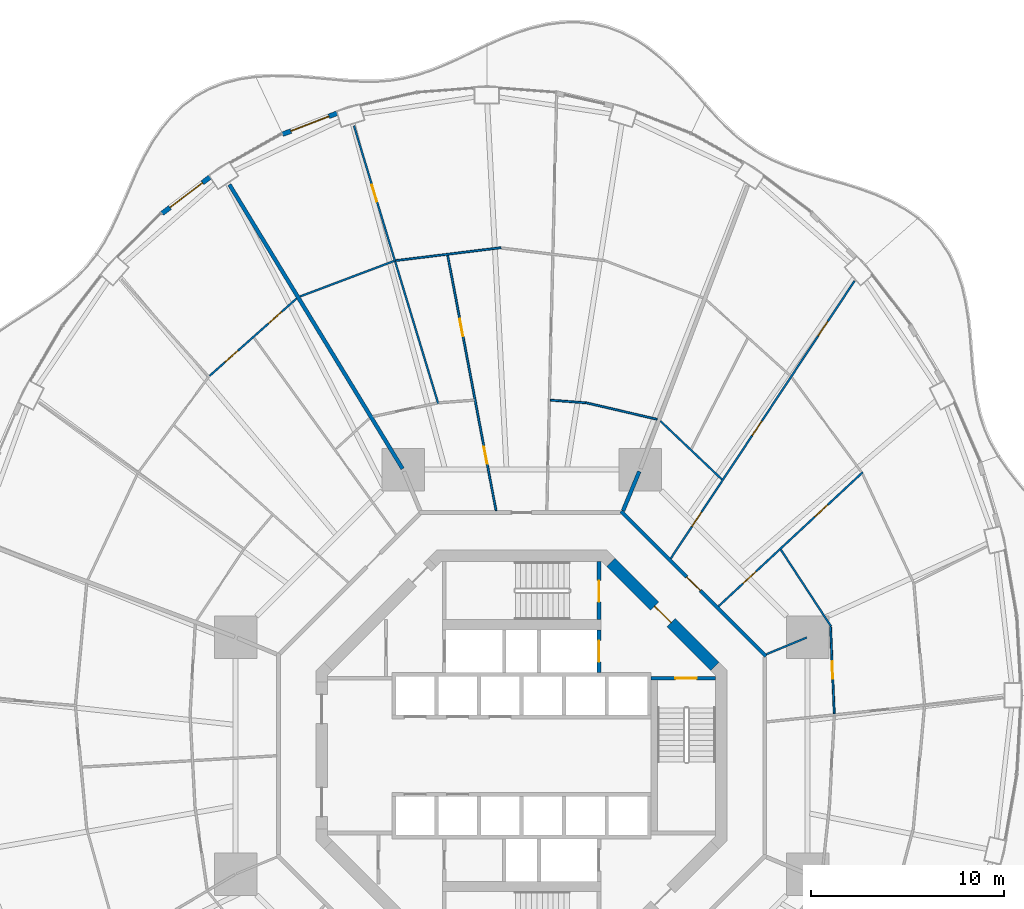
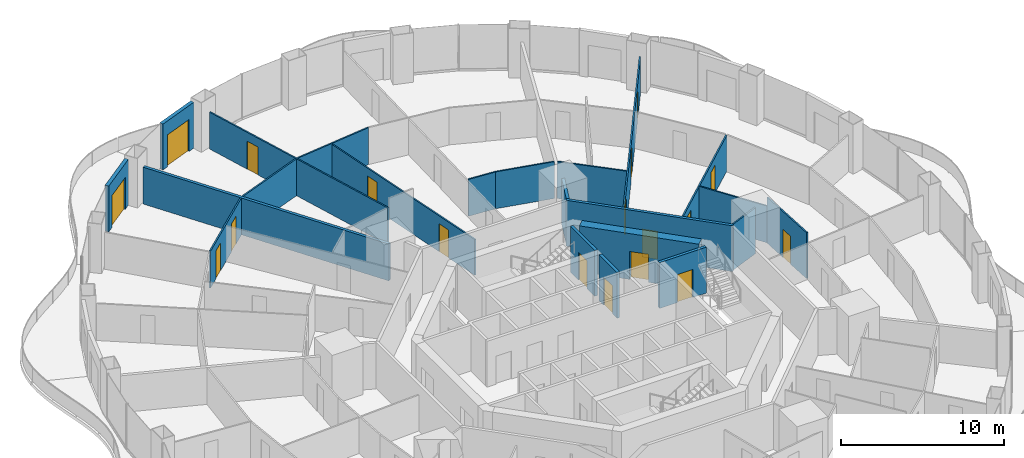
# One storey, part 18 of 22: 22 walls, 18 doors, 18 openings.
"""IFC4 building model written with IfcOpenShell, lengths in metres."""

from ifc_helpers import new_model, si_unit, direction, frame, frame_2d, origin, place, context, subcontext, project, spatial, rectangle, extrude, material, layer, layer_set, type_object, element, fill, save


model = new_model("IFC4")

# Units and contexts
model_context = context("Model", 3, precision=1e-05, world=origin(), true_north=direction((0.0, 1.0)))
body_context = subcontext(model_context, "Body", "Model", "MODEL_VIEW")
ifc_project = project(units=[si_unit("LENGTHUNIT", "METRE"), si_unit("AREAUNIT", "SQUARE_METRE"), si_unit("VOLUMEUNIT", "CUBIC_METRE"), si_unit("PLANEANGLEUNIT", "RADIAN"), si_unit("MASSUNIT", "GRAM", prefix="KILO")], contexts=[model_context])

# Site, building, storey
site_placement = place(None, origin())
site = spatial("IfcSite", under=ifc_project, at=site_placement, CompositionType="ELEMENT")
building_placement = place(site_placement, origin())
building = spatial("IfcBuilding", under=site, at=building_placement, Name="Nagisa Residences", CompositionType="ELEMENT")
storey_placement = place(building_placement, frame((0.0, 0.0, 95.5)))
storey = spatial("IfcBuildingStorey", under=building, at=storey_placement, Name="L23", CompositionType="ELEMENT", Elevation=95.5)

# Walls
ifc_material_1 = material(Name="Gypsum board on steel studs", Category="steel")
ifc_layer_1 = layer(ifc_material_1, 0.199951171875)
ifc_layer_set_1 = layer_set([ifc_layer_1], Name="Apartment compartment wall EI60 200")
wall_type_1 = type_object("IfcWallType", Name="Apartment compartment wall EI60 200", PredefinedType="PARTITIONING", material=ifc_layer_set_1)
wall_1_placement = place(storey_placement, frame((5.24267578125, 12.6572265625, 0.0), z_axis=(0.0, 0.0, 1.0), x_axis=(0.382724096228, 0.923862687939, 0.0)))
element("IfcWall", 1, at=wall_1_placement, inside=storey, type_object=wall_type_1, Name="wall:L23:u00", PredefinedType="PARTITIONING", context=body_context, shape_type="SweptSolid", body=[
    extrude(rectangle(XDim=2.20068359375, YDim=0.199951171875, at=frame_2d((1.100341796875, 0.0))), origin(), (0.0, 0.0, 1.0), 3.43994140625),
])
wall_2_placement = place(storey_placement, frame((-6.14892578125, 14.82470703125, 0.0), z_axis=(0.0, 0.0, 1.0), x_axis=(-0.520412862249, 0.853914780763, 0.0)))
element("IfcWall", 2, at=wall_2_placement, inside=storey, type_object=wall_type_1, Name="wall:L23:u03", PredefinedType="PARTITIONING", context=body_context, shape_type="SweptSolid", body=[
    extrude(rectangle(XDim=17.202392578125, YDim=0.199951171875, at=frame_2d((8.60107421875, 0.0))), origin(), (0.0, 0.0, 1.0), 2.761962890625),
])

# Wall, opening, door
ifc_material_2 = material(Name="Gypsum board on steel studs", Category="steel")
ifc_layer_2 = layer(ifc_material_2, 0.199951171875)
ifc_layer_set_2 = layer_set([ifc_layer_2], Name="Apartment entry wall EI60 200")
wall_type_2 = type_object("IfcWallType", Name="Apartment entry wall EI60 200", PredefinedType="PARTITIONING", material=ifc_layer_set_2)
wall_3_placement = place(storey_placement, frame((12.635498046875, 5.1337890625, 0.0), z_axis=(0.0, 0.0, 1.0), x_axis=(-0.707106781187, 0.707106781187, 0.0)))
wall_3 = element("IfcWall", 3, at=wall_3_placement, inside=storey, type_object=wall_type_2, Name="wall:L23:u11", PredefinedType="PARTITIONING", context=body_context, shape_type="SweptSolid", body=[
    extrude(rectangle(XDim=10.609130859375, YDim=0.199951171875, at=frame_2d((5.3046875, 0.0))), origin(), (0.0, 0.0, 1.0), 3.43994140625),
])
opening_1_placement = place(wall_3_placement, frame((4.804443359375, 0.0, 0.0)))
opening_1 = element("IfcOpeningElement", 4, at=opening_1_placement, cuts=wall_3, Name="Opening L23-U28", PredefinedType="OPENING", context=body_context, shape_type="SweptSolid", body=[
    extrude(rectangle(XDim=1.0, YDim=2.10009765625, at=frame_2d((0.5, 1.050048828125))), frame((0.0, 0.10986328125, 0.0), z_axis=(0.0, -1.0, 0.0), x_axis=(1.0, 0.0, 0.0)), (0.0, 0.0, 1.0), 0.219970703125),
])
ifc_material_3 = material(Name="Timber fire door set", Category="wood")
door_type_1 = type_object("IfcDoorType", Name="Apartment entry door FD30S 1000x2100", OperationType="NOTDEFINED", PredefinedType="DOOR", material=ifc_material_3)
door_1_placement = place(opening_1_placement, frame((1.0, 0.0, 0.0), x_axis=(-1.0, 0.0, 0.0)))
door_1 = element("IfcDoor", 5, at=door_1_placement, inside=storey, type_object=door_type_1, Name="Entry door, Apartment 23C", OperationType="SINGLE_SWING_LEFT", OverallHeight=2.10009765625, OverallWidth=1.0, PredefinedType="DOOR", context=body_context, shape_type="SweptSolid", body=[
    extrude(rectangle(XDim=1.0, YDim=2.10009765625, at=frame_2d((0.5, 1.050048828125))), frame((0.0, 0.02490234375, 0.0), z_axis=(0.0, -1.0, 0.0), x_axis=(1.0, 0.0, 0.0)), (0.0, 0.0, 1.0), 0.050048828125),
])
fill(opening_1, door_1)

ifc_material_4 = material(Name="Gypsum board on steel studs", Category="steel")
ifc_layer_3 = layer(ifc_material_4, 0.10009765625)
ifc_layer_set_3 = layer_set([ifc_layer_3], Name="Apartment partition 100")
wall_type_3 = type_object("IfcWallType", Name="Apartment partition 100", PredefinedType="PARTITIONING", material=ifc_layer_set_3)
wall_4_placement = place(storey_placement, frame((16.161865234375, 2.158203125, 0.0), z_axis=(0.0, 0.0, 1.0), x_axis=(-0.043120653248, 0.999069872063, 0.0)))
wall_4 = element("IfcWall", 6, at=wall_4_placement, inside=storey, type_object=wall_type_3, Name="wall:L23:u19", PredefinedType="PARTITIONING", context=body_context, shape_type="SweptSolid", body=[
    extrude(rectangle(XDim=4.51806640625, YDim=0.10009765625, at=frame_2d((2.259033203125, 0.0))), origin(), (0.0, 0.0, 1.0), 3.43994140625),
])
opening_2_placement = place(wall_4_placement, frame((1.80908203125, 0.0, 0.0)))
opening_2 = element("IfcOpeningElement", 7, at=opening_2_placement, cuts=wall_4, Name="Opening L23-U36", PredefinedType="OPENING", context=body_context, shape_type="SweptSolid", body=[
    extrude(rectangle(XDim=0.89990234375, YDim=2.10009765625, at=frame_2d((0.449951171875, 1.050048828125))), frame((0.0, 0.06005859375, 0.0), z_axis=(0.0, -1.0, 0.0), x_axis=(1.0, 0.0, 0.0)), (0.0, 0.0, 1.0), 0.1201171875),
])
ifc_material_5 = material(Name="Timber door set", Category="wood")
door_type_2 = type_object("IfcDoorType", Name="Apartment door 900x2100", OperationType="NOTDEFINED", PredefinedType="DOOR", material=ifc_material_5)
door_2_placement = place(opening_2_placement, origin())
door_2 = element("IfcDoor", 8, at=door_2_placement, inside=storey, type_object=door_type_2, Name="Door to store, Apartment 23C", OperationType="SINGLE_SWING_RIGHT", OverallHeight=2.10009765625, OverallWidth=0.89990234375, PredefinedType="DOOR", context=body_context, shape_type="SweptSolid", body=[
    extrude(rectangle(XDim=0.89990234375, YDim=2.10009765625, at=frame_2d((0.449951171875, 1.050048828125))), frame((0.0, 0.02490234375, 0.0), z_axis=(0.0, -1.0, 0.0), x_axis=(1.0, 0.0, 0.0)), (0.0, 0.0, 1.0), 0.050048828125),
])
fill(opening_2, door_2)

# Walls
wall_5_placement = place(storey_placement, frame((12.6572265625, 5.24267578125, 0.0), z_axis=(0.0, 0.0, 1.0), x_axis=(0.923864733477, 0.382719158442, 0.0)))
element("IfcWall", 9, at=wall_5_placement, inside=storey, type_object=wall_type_3, Name="wall:L23:u23", PredefinedType="PARTITIONING", context=body_context, shape_type="SweptSolid", body=[
    extrude(rectangle(XDim=2.25, YDim=0.10009765625, at=frame_2d((1.125, 0.0))), origin(), (0.0, 0.0, 1.0), 3.43994140625),
])
wall_6_placement = place(storey_placement, frame((15.9921875, 6.68017578125, 0.0), z_axis=(0.0, 0.0, 1.0), x_axis=(-0.547472878942, 0.836823426311, 0.0)))
element("IfcWall", 10, at=wall_6_placement, inside=storey, type_object=wall_type_3, Name="wall:L23:u24", PredefinedType="PARTITIONING", context=body_context, shape_type="SweptSolid", body=[
    extrude(rectangle(XDim=4.73779296875, YDim=0.10009765625, at=frame_2d((2.368896484375, 0.0))), origin(), (0.0, 0.0, 1.0), 2.761962890625),
])

# Wall, openings, doors
wall_7_placement = place(storey_placement, frame((10.1845703125, 7.72607421875, 0.0), z_axis=(0.0, 0.0, 1.0), x_axis=(0.732598472978, 0.680661059112, 0.0)))
wall_7 = element("IfcWall", 11, at=wall_7_placement, inside=storey, type_object=wall_type_3, Name="wall:L23:u27", PredefinedType="PARTITIONING", context=body_context, shape_type="SweptSolid", body=[
    extrude(rectangle(XDim=10.16748046875, YDim=0.10009765625, at=frame_2d((5.083740234375, 0.0))), origin(), (0.0, 0.0, 1.0), 2.68701171875),
])
opening_3_placement = place(wall_7_placement, frame((1.724853515625, 0.0, 0.0)))
opening_3 = element("IfcOpeningElement", 12, at=opening_3_placement, cuts=wall_7, Name="Opening L23-U29", PredefinedType="OPENING", context=body_context, shape_type="SweptSolid", body=[
    extrude(rectangle(XDim=0.89990234375, YDim=2.10009765625, at=frame_2d((0.449951171875, 1.050048828125))), frame((0.0, 0.06005859375, 0.0), z_axis=(0.0, -1.0, 0.0), x_axis=(1.0, 0.0, 0.0)), (0.0, 0.0, 1.0), 0.1201171875),
])
opening_4_placement = place(wall_7_placement, frame((6.78369140625, 0.0, 0.0)))
opening_4 = element("IfcOpeningElement", 13, at=opening_4_placement, cuts=wall_7, Name="Opening L23-U31", PredefinedType="OPENING", context=body_context, shape_type="SweptSolid", body=[
    extrude(rectangle(XDim=0.89990234375, YDim=2.10009765625, at=frame_2d((0.449951171875, 1.050048828125))), frame((0.0, 0.06005859375, 0.0), z_axis=(0.0, -1.0, 0.0), x_axis=(1.0, 0.0, 0.0)), (0.0, 0.0, 1.0), 0.1201171875),
])
door_3_placement = place(opening_3_placement, frame((0.89990234375, 0.0, 0.0), x_axis=(-1.0, 0.0, 0.0)))
door_3 = element("IfcDoor", 14, at=door_3_placement, inside=storey, type_object=door_type_2, Name="Door to laundry, Apartment 23C", OperationType="SINGLE_SWING_RIGHT", OverallHeight=2.10009765625, OverallWidth=0.89990234375, PredefinedType="DOOR", context=body_context, shape_type="SweptSolid", body=[
    extrude(rectangle(XDim=0.89990234375, YDim=2.10009765625, at=frame_2d((0.449951171875, 1.050048828125))), frame((0.0, 0.02490234375, 0.0), z_axis=(0.0, -1.0, 0.0), x_axis=(1.0, 0.0, 0.0)), (0.0, 0.0, 1.0), 0.050048828125),
])
fill(opening_3, door_3)
door_4_placement = place(opening_4_placement, frame((0.89990234375, 0.0, 0.0), x_axis=(-1.0, 0.0, 0.0)))
door_4 = element("IfcDoor", 15, at=door_4_placement, inside=storey, type_object=door_type_2, Name="Door to dining room, Apartment 23C", OperationType="SINGLE_SWING_RIGHT", OverallHeight=2.10009765625, OverallWidth=0.89990234375, PredefinedType="DOOR", context=body_context, shape_type="SweptSolid", body=[
    extrude(rectangle(XDim=0.89990234375, YDim=2.10009765625, at=frame_2d((0.449951171875, 1.050048828125))), frame((0.0, 0.02490234375, 0.0), z_axis=(0.0, -1.0, 0.0), x_axis=(1.0, 0.0, 0.0)), (0.0, 0.0, 1.0), 0.050048828125),
])
fill(opening_4, door_4)

wall_8_placement = place(storey_placement, frame((7.713134765625, 10.19482421875, 0.0), z_axis=(0.0, 0.0, 1.0), x_axis=(0.552111071171, 0.833770571015, 0.0)))
wall_8 = element("IfcWall", 16, at=wall_8_placement, inside=storey, type_object=wall_type_3, Name="wall:L23:u29", PredefinedType="PARTITIONING", context=body_context, shape_type="SweptSolid", body=[
    extrude(rectangle(XDim=17.20849609375, YDim=0.10009765625, at=frame_2d((8.604248046875, 0.0))), origin(), (0.0, 0.0, 1.0), 2.68701171875),
])
opening_5_placement = place(wall_8_placement, frame((1.975830078125, 0.0, 0.0)))
opening_5 = element("IfcOpeningElement", 17, at=opening_5_placement, cuts=wall_8, Name="Opening L23-U30", PredefinedType="OPENING", context=body_context, shape_type="SweptSolid", body=[
    extrude(rectangle(XDim=0.89990234375, YDim=2.10009765625, at=frame_2d((0.449951171875, 1.050048828125))), frame((0.0, 0.06005859375, 0.0), z_axis=(0.0, -1.0, 0.0), x_axis=(1.0, 0.0, 0.0)), (0.0, 0.0, 1.0), 0.1201171875),
])
opening_6_placement = place(wall_8_placement, frame((7.611083984375, 0.0, 0.0)))
opening_6 = element("IfcOpeningElement", 18, at=opening_6_placement, cuts=wall_8, Name="Opening L23-U32", PredefinedType="OPENING", context=body_context, shape_type="SweptSolid", body=[
    extrude(rectangle(XDim=0.89990234375, YDim=2.10009765625, at=frame_2d((0.449951171875, 1.050048828125))), frame((0.0, 0.06005859375, 0.0), z_axis=(0.0, -1.0, 0.0), x_axis=(1.0, 0.0, 0.0)), (0.0, 0.0, 1.0), 0.1201171875),
])
opening_7_placement = place(wall_8_placement, frame((13.78955078125, 0.0, 0.0)))
opening_7 = element("IfcOpeningElement", 19, at=opening_7_placement, cuts=wall_8, Name="Opening L23-U35", PredefinedType="OPENING", context=body_context, shape_type="SweptSolid", body=[
    extrude(rectangle(XDim=0.89990234375, YDim=2.10009765625, at=frame_2d((0.449951171875, 1.050048828125))), frame((0.0, 0.06005859375, 0.0), z_axis=(0.0, -1.0, 0.0), x_axis=(1.0, 0.0, 0.0)), (0.0, 0.0, 1.0), 0.1201171875),
])
door_5_placement = place(opening_5_placement, origin())
door_5 = element("IfcDoor", 20, at=door_5_placement, inside=storey, type_object=door_type_2, Name="Door to store, Apartment 23C", OperationType="SINGLE_SWING_RIGHT", OverallHeight=2.10009765625, OverallWidth=0.89990234375, PredefinedType="DOOR", context=body_context, shape_type="SweptSolid", body=[
    extrude(rectangle(XDim=0.89990234375, YDim=2.10009765625, at=frame_2d((0.449951171875, 1.050048828125))), frame((0.0, 0.02490234375, 0.0), z_axis=(0.0, -1.0, 0.0), x_axis=(1.0, 0.0, 0.0)), (0.0, 0.0, 1.0), 0.050048828125),
])
fill(opening_5, door_5)
door_6_placement = place(opening_6_placement, origin())
door_6 = element("IfcDoor", 21, at=door_6_placement, inside=storey, type_object=door_type_2, Name="Door to family bathroom, Apartment 23C", OperationType="SINGLE_SWING_RIGHT", OverallHeight=2.10009765625, OverallWidth=0.89990234375, PredefinedType="DOOR", context=body_context, shape_type="SweptSolid", body=[
    extrude(rectangle(XDim=0.89990234375, YDim=2.10009765625, at=frame_2d((0.449951171875, 1.050048828125))), frame((0.0, 0.02490234375, 0.0), z_axis=(0.0, -1.0, 0.0), x_axis=(1.0, 0.0, 0.0)), (0.0, 0.0, 1.0), 0.050048828125),
])
fill(opening_6, door_6)
door_7_placement = place(opening_7_placement, origin())
door_7 = element("IfcDoor", 22, at=door_7_placement, inside=storey, type_object=door_type_2, Name="Door to master bedroom, Apartment 23C", OperationType="SINGLE_SWING_LEFT", OverallHeight=2.10009765625, OverallWidth=0.89990234375, PredefinedType="DOOR", context=body_context, shape_type="SweptSolid", body=[
    extrude(rectangle(XDim=0.89990234375, YDim=2.10009765625, at=frame_2d((0.449951171875, 1.050048828125))), frame((0.0, 0.02490234375, 0.0), z_axis=(0.0, -1.0, 0.0), x_axis=(1.0, 0.0, 0.0)), (0.0, 0.0, 1.0), 0.050048828125),
])
fill(opening_7, door_7)

# Walls
wall_9_placement = place(storey_placement, frame((10.35546875, 14.274169921875, 0.0), z_axis=(0.0, 0.0, 1.0), x_axis=(-0.725206433622, 0.688531501555, 0.0)))
element("IfcWall", 23, at=wall_9_placement, inside=storey, type_object=wall_type_3, Name="wall:L23:u30", PredefinedType="PARTITIONING", context=body_context, shape_type="SweptSolid", body=[
    extrude(rectangle(XDim=4.386962890625, YDim=0.10009765625, at=frame_2d((2.193359375, 0.0))), origin(), (0.0, 0.0, 1.0), 2.761962890625),
])
wall_10_placement = place(storey_placement, frame((7.004150390625, 17.385986328125, 0.0), z_axis=(0.0, 0.0, 1.0), x_axis=(-0.974179728512, 0.225773905837, 0.0)))
element("IfcWall", 24, at=wall_10_placement, inside=storey, type_object=wall_type_3, Name="wall:L23:u33", PredefinedType="PARTITIONING", context=body_context, shape_type="SweptSolid", body=[
    extrude(rectangle(XDim=3.802001953125, YDim=0.10009765625, at=frame_2d((1.90087890625, 0.0))), origin(), (0.0, 0.0, 1.0), 2.761962890625),
])
wall_11_placement = place(storey_placement, frame((3.299072265625, 18.23681640625, 0.0), z_axis=(0.0, 0.0, 1.0), x_axis=(-0.997152920483, 0.075405922664, 0.0)))
element("IfcWall", 25, at=wall_11_placement, inside=storey, type_object=wall_type_3, Name="wall:L23:u35", PredefinedType="PARTITIONING", context=body_context, shape_type="SweptSolid", body=[
    extrude(rectangle(XDim=1.82275390625, YDim=0.10009765625, at=frame_2d((0.911376953125, 0.0))), origin(), (0.0, 0.0, 1.0), 2.761962890625),
])
wall_12_placement = place(storey_placement, frame((-1.06640625, 26.2529296875, 0.0), z_axis=(0.0, 0.0, 1.0), x_axis=(-0.992574853421, -0.121635358166, 0.0)))
element("IfcWall", 26, at=wall_12_placement, inside=storey, type_object=wall_type_3, Name="wall:L23:u38", PredefinedType="PARTITIONING", context=body_context, shape_type="SweptSolid", body=[
    extrude(rectangle(XDim=5.473388671875, YDim=0.10009765625, at=frame_2d((2.73681640625, 0.0))), origin(), (0.0, 0.0, 1.0), 2.761962890625),
])

# Wall, openings, doors
wall_13_placement = place(storey_placement, frame((-1.31982421875, 12.6630859375, 0.0), z_axis=(0.0, 0.0, 1.0), x_axis=(-0.186308855238, 0.982491226658, 0.0)))
wall_13 = element("IfcWall", 27, at=wall_13_placement, inside=storey, type_object=wall_type_3, Name="wall:L23:u39", PredefinedType="PARTITIONING", context=body_context, shape_type="SweptSolid", body=[
    extrude(rectangle(XDim=13.43701171875, YDim=0.10009765625, at=frame_2d((6.718505859375, 0.0))), origin(), (0.0, 0.0, 1.0), 2.68701171875),
])
opening_8_placement = place(wall_13_placement, frame((2.45849609375, 0.0, 0.0)))
opening_8 = element("IfcOpeningElement", 28, at=opening_8_placement, cuts=wall_13, Name="Opening L23-U43", PredefinedType="OPENING", context=body_context, shape_type="SweptSolid", body=[
    extrude(rectangle(XDim=0.89990234375, YDim=2.10009765625, at=frame_2d((0.449951171875, 1.050048828125))), frame((0.0, 0.06005859375, 0.0), z_axis=(0.0, -1.0, 0.0), x_axis=(1.0, 0.0, 0.0)), (0.0, 0.0, 1.0), 0.1201171875),
])
opening_9_placement = place(wall_13_placement, frame((9.177001953125, 0.0, 0.0)))
opening_9 = element("IfcOpeningElement", 29, at=opening_9_placement, cuts=wall_13, Name="Opening L23-U45", PredefinedType="OPENING", context=body_context, shape_type="SweptSolid", body=[
    extrude(rectangle(XDim=0.89990234375, YDim=2.10009765625, at=frame_2d((0.449951171875, 1.050048828125))), frame((0.0, 0.06005859375, 0.0), z_axis=(0.0, -1.0, 0.0), x_axis=(1.0, 0.0, 0.0)), (0.0, 0.0, 1.0), 0.1201171875),
])
door_8_placement = place(opening_8_placement, origin())
door_8 = element("IfcDoor", 30, at=door_8_placement, inside=storey, type_object=door_type_2, Name="Door to store, Apartment 23D", OperationType="SINGLE_SWING_LEFT", OverallHeight=2.10009765625, OverallWidth=0.89990234375, PredefinedType="DOOR", context=body_context, shape_type="SweptSolid", body=[
    extrude(rectangle(XDim=0.89990234375, YDim=2.10009765625, at=frame_2d((0.449951171875, 1.050048828125))), frame((0.0, 0.02490234375, 0.0), z_axis=(0.0, -1.0, 0.0), x_axis=(1.0, 0.0, 0.0)), (0.0, 0.0, 1.0), 0.050048828125),
])
fill(opening_8, door_8)
door_9_placement = place(opening_9_placement, origin())
door_9 = element("IfcDoor", 31, at=door_9_placement, inside=storey, type_object=door_type_2, Name="Door to family bathroom, Apartment 23D", OperationType="SINGLE_SWING_LEFT", OverallHeight=2.10009765625, OverallWidth=0.89990234375, PredefinedType="DOOR", context=body_context, shape_type="SweptSolid", body=[
    extrude(rectangle(XDim=0.89990234375, YDim=2.10009765625, at=frame_2d((0.449951171875, 1.050048828125))), frame((0.0, 0.02490234375, 0.0), z_axis=(0.0, -1.0, 0.0), x_axis=(1.0, 0.0, 0.0)), (0.0, 0.0, 1.0), 0.050048828125),
])
fill(opening_9, door_9)

# Wall, opening, door
wall_14_placement = place(storey_placement, frame((-4.306396484375, 18.185302734375, 0.0), z_axis=(0.0, 0.0, 1.0), x_axis=(-0.290183838394, 0.956970919064, 0.0)))
wall_14 = element("IfcWall", 32, at=wall_14_placement, inside=storey, type_object=wall_type_3, Name="wall:L23:u41", PredefinedType="PARTITIONING", context=body_context, shape_type="SweptSolid", body=[
    extrude(rectangle(XDim=15.01513671875, YDim=0.10009765625, at=frame_2d((7.507568359375, 0.0))), origin(), (0.0, 0.0, 1.0), 2.761962890625),
])
opening_10_placement = place(wall_14_placement, frame((10.921875, 0.0, 0.0)))
opening_10 = element("IfcOpeningElement", 33, at=opening_10_placement, cuts=wall_14, Name="Opening L23-U49", PredefinedType="OPENING", context=body_context, shape_type="SweptSolid", body=[
    extrude(rectangle(XDim=0.89990234375, YDim=2.10009765625, at=frame_2d((0.449951171875, 1.050048828125))), frame((0.0, 0.06005859375, 0.0), z_axis=(0.0, -1.0, 0.0), x_axis=(1.0, 0.0, 0.0)), (0.0, 0.0, 1.0), 0.1201171875),
])
door_10_placement = place(opening_10_placement, origin())
door_10 = element("IfcDoor", 34, at=door_10_placement, inside=storey, type_object=door_type_2, Name="Door to master bedroom, Apartment 23D", OperationType="SINGLE_SWING_LEFT", OverallHeight=2.10009765625, OverallWidth=0.89990234375, PredefinedType="DOOR", context=body_context, shape_type="SweptSolid", body=[
    extrude(rectangle(XDim=0.89990234375, YDim=2.10009765625, at=frame_2d((0.449951171875, 1.050048828125))), frame((0.0, 0.02490234375, 0.0), z_axis=(0.0, -1.0, 0.0), x_axis=(1.0, 0.0, 0.0)), (0.0, 0.0, 1.0), 0.050048828125),
])
fill(opening_10, door_10)

# Wall
wall_15_placement = place(storey_placement, frame((-6.595703125, 25.5634765625, 0.0), z_axis=(0.0, 0.0, 1.0), x_axis=(-0.935624838262, -0.352995980185, 0.0)))
element("IfcWall", 35, at=wall_15_placement, inside=storey, type_object=wall_type_3, Name="wall:L23:u43", PredefinedType="PARTITIONING", context=body_context, shape_type="SweptSolid", body=[
    extrude(rectangle(XDim=5.198974609375, YDim=0.10009765625, at=frame_2d((2.599609375, 0.0))), origin(), (0.0, 0.0, 1.0), 2.761962890625),
])

# Wall, openings, doors
wall_16_placement = place(storey_placement, frame((-11.628173828125, 23.62646484375, 0.0), z_axis=(0.0, 0.0, 1.0), x_axis=(-0.747429444005, -0.664341197153, 0.0)))
wall_16 = element("IfcWall", 36, at=wall_16_placement, inside=storey, type_object=wall_type_3, Name="wall:L23:u45", PredefinedType="PARTITIONING", context=body_context, shape_type="SweptSolid", body=[
    extrude(rectangle(XDim=6.023681640625, YDim=0.10009765625, at=frame_2d((3.01171875, 0.0))), origin(), (0.0, 0.0, 1.0), 2.761962890625),
])
opening_11_placement = place(wall_16_placement, frame((4.054931640625, 0.0, 0.0)))
opening_11 = element("IfcOpeningElement", 37, at=opening_11_placement, cuts=wall_16, Name="Opening L23-U55", PredefinedType="OPENING", context=body_context, shape_type="SweptSolid", body=[
    extrude(rectangle(XDim=0.89990234375, YDim=2.10009765625, at=frame_2d((0.449951171875, 1.050048828125))), frame((0.0, 0.06005859375, 0.0), z_axis=(0.0, -1.0, 0.0), x_axis=(1.0, 0.0, 0.0)), (0.0, 0.0, 1.0), 0.1201171875),
])
opening_12_placement = place(wall_16_placement, frame((1.043212890625, 0.0, 0.0)))
opening_12 = element("IfcOpeningElement", 38, at=opening_12_placement, cuts=wall_16, Name="Opening L23-U58", PredefinedType="OPENING", context=body_context, shape_type="SweptSolid", body=[
    extrude(rectangle(XDim=0.89990234375, YDim=2.10009765625, at=frame_2d((0.449951171875, 1.050048828125))), frame((0.0, 0.06005859375, 0.0), z_axis=(0.0, -1.0, 0.0), x_axis=(1.0, 0.0, 0.0)), (0.0, 0.0, 1.0), 0.1201171875),
])
door_11_placement = place(opening_11_placement, frame((0.89990234375, 0.0, 0.0), x_axis=(-1.0, 0.0, 0.0)))
door_11 = element("IfcDoor", 39, at=door_11_placement, inside=storey, type_object=door_type_2, Name="Door to master bedroom, Apartment 23E", OperationType="SINGLE_SWING_RIGHT", OverallHeight=2.10009765625, OverallWidth=0.89990234375, PredefinedType="DOOR", context=body_context, shape_type="SweptSolid", body=[
    extrude(rectangle(XDim=0.89990234375, YDim=2.10009765625, at=frame_2d((0.449951171875, 1.050048828125))), frame((0.0, 0.02490234375, 0.0), z_axis=(0.0, -1.0, 0.0), x_axis=(1.0, 0.0, 0.0)), (0.0, 0.0, 1.0), 0.050048828125),
])
fill(opening_11, door_11)
door_12_placement = place(opening_12_placement, origin())
door_12 = element("IfcDoor", 40, at=door_12_placement, inside=storey, type_object=door_type_2, Name="Door to en-suite bathroom, Apartment 23E", OperationType="SINGLE_SWING_RIGHT", OverallHeight=2.10009765625, OverallWidth=0.89990234375, PredefinedType="DOOR", context=body_context, shape_type="SweptSolid", body=[
    extrude(rectangle(XDim=0.89990234375, YDim=2.10009765625, at=frame_2d((0.449951171875, 1.050048828125))), frame((0.0, 0.02490234375, 0.0), z_axis=(0.0, -1.0, 0.0), x_axis=(1.0, 0.0, 0.0)), (0.0, 0.0, 1.0), 0.050048828125),
])
fill(opening_12, door_12)

# Wall, opening, door
ifc_material_6 = material(Name="Precast concrete C40/50", Category="concrete")
ifc_layer_4 = layer(ifc_material_6, 0.25)
ifc_layer_set_4 = layer_set([ifc_layer_4], Name="BALCONY DOOR WALL 250")
wall_type_4 = type_object("IfcWallType", Name="BALCONY DOOR WALL 250", PredefinedType="SOLIDWALL", material=ifc_layer_set_4)
wall_17_placement = place(storey_placement, frame((-12.353271484375, 32.1171875, 0.0), z_axis=(0.0, 0.0, 1.0), x_axis=(0.932827091302, 0.360324322982, 0.0)))
wall_17 = element("IfcWall", 41, at=wall_17_placement, inside=storey, type_object=wall_type_4, Name="wall:L23:bay14", PredefinedType="SOLIDWALL", context=body_context, shape_type="SweptSolid", body=[
    extrude(rectangle(XDim=3.02734375, YDim=0.25, at=frame_2d((1.513671875, 0.0))), origin(), (0.0, 0.0, 1.0), 3.43994140625),
])
opening_13_placement = place(wall_17_placement, frame((0.463623046875, 0.0, 0.0)))
opening_13 = element("IfcOpeningElement", 42, at=opening_13_placement, cuts=wall_17, Name="Opening BD-L23-05", PredefinedType="OPENING", context=body_context, shape_type="SweptSolid", body=[
    extrude(rectangle(XDim=2.10009765625, YDim=2.39990234375, at=frame_2d((1.050048828125, 1.199951171875))), frame((0.0, 0.135009765625, 0.0), z_axis=(0.0, -1.0, 0.0), x_axis=(1.0, 0.0, 0.0)), (0.0, 0.0, 1.0), 0.27001953125),
])
ifc_material_7 = material(Name="Aluminium and clear glass", Category="aluminium")
door_type_3 = type_object("IfcDoorType", Name="BALCONY SLIDING DOOR 2100x2400", OperationType="SLIDING_TO_LEFT", PredefinedType="DOOR", material=ifc_material_7)
door_13_placement = place(opening_13_placement, origin())
door_13 = element("IfcDoor", 43, at=door_13_placement, inside=storey, type_object=door_type_3, Name="door:L23:bay14", OperationType="SLIDING_TO_LEFT", OverallHeight=2.39990234375, OverallWidth=2.10009765625, PredefinedType="DOOR", context=body_context, shape_type="SweptSolid", body=[
    extrude(rectangle(XDim=2.10009765625, YDim=2.39990234375, at=frame_2d((1.050048828125, 1.199951171875))), frame((0.0, 0.02490234375, 0.0), z_axis=(0.0, -1.0, 0.0), x_axis=(1.0, 0.0, 0.0)), (0.0, 0.0, 1.0), 0.050048828125),
])
fill(opening_13, door_13)

wall_18_placement = place(storey_placement, frame((-18.583984375, 28.020751953125, 0.0), z_axis=(0.0, 0.0, 1.0), x_axis=(0.796037575978, 0.605247203736, 0.0)))
wall_18 = element("IfcWall", 44, at=wall_18_placement, inside=storey, type_object=wall_type_4, Name="wall:L23:bay16", PredefinedType="SOLIDWALL", context=body_context, shape_type="SweptSolid", body=[
    extrude(rectangle(XDim=3.1337890625, YDim=0.25, at=frame_2d((1.56689453125, 0.0))), origin(), (0.0, 0.0, 1.0), 3.43994140625),
])
opening_14_placement = place(wall_18_placement, frame((0.51708984375, 0.0, 0.0)))
opening_14 = element("IfcOpeningElement", 45, at=opening_14_placement, cuts=wall_18, Name="Opening BD-L23-06", PredefinedType="OPENING", context=body_context, shape_type="SweptSolid", body=[
    extrude(rectangle(XDim=2.10009765625, YDim=2.39990234375, at=frame_2d((1.050048828125, 1.199951171875))), frame((0.0, 0.135009765625, 0.0), z_axis=(0.0, -1.0, 0.0), x_axis=(1.0, 0.0, 0.0)), (0.0, 0.0, 1.0), 0.27001953125),
])
door_14_placement = place(opening_14_placement, origin())
door_14 = element("IfcDoor", 46, at=door_14_placement, inside=storey, type_object=door_type_3, Name="door:L23:bay16", OperationType="SLIDING_TO_LEFT", OverallHeight=2.39990234375, OverallWidth=2.10009765625, PredefinedType="DOOR", context=body_context, shape_type="SweptSolid", body=[
    extrude(rectangle(XDim=2.10009765625, YDim=2.39990234375, at=frame_2d((1.050048828125, 1.199951171875))), frame((0.0, 0.02490234375, 0.0), z_axis=(0.0, -1.0, 0.0), x_axis=(1.0, 0.0, 0.0)), (0.0, 0.0, 1.0), 0.050048828125),
])
fill(opening_14, door_14)

ifc_material_8 = material(Name="Concrete C60", Category="concrete")
ifc_layer_5 = layer(ifc_material_8, 0.60009765625)
ifc_layer_set_5 = layer_set([ifc_layer_5], Name="Core shear wall 600")
wall_type_5 = type_object("IfcWallType", Name="Core shear wall 600", PredefinedType="SHEAR", material=ifc_layer_set_5)
wall_19_placement = place(storey_placement, frame((9.98828125, 4.613037109375, 0.0), z_axis=(0.0, 0.0, 1.0), x_axis=(-0.707106781187, 0.707106781187, 0.0)))
wall_19 = element("IfcWall", 47, at=wall_19_placement, inside=storey, type_object=wall_type_5, Name="wall:L23:core:flat1", PredefinedType="SHEAR", context=body_context, shape_type="SweptSolid", body=[
    extrude(rectangle(XDim=7.601806640625, YDim=0.60009765625, at=frame_2d((3.80078125, 0.0))), origin(), (0.0, 0.0, 1.0), 3.43994140625),
])
opening_15_placement = place(wall_19_placement, frame((3.200927734375, 0.0, 0.0)))
opening_15 = element("IfcOpeningElement", 48, at=opening_15_placement, cuts=wall_19, Name="Opening L23-C15", PredefinedType="OPENING", context=body_context, shape_type="SweptSolid", body=[
    extrude(rectangle(XDim=1.199951171875, YDim=2.10009765625, at=frame_2d((0.60009765625, 1.050048828125))), frame((0.0, 0.31005859375, 0.0), z_axis=(0.0, -1.0, 0.0), x_axis=(1.0, 0.0, 0.0)), (0.0, 0.0, 1.0), 0.6201171875),
])
ifc_material_9 = material(Name="Steel fire door", Category="steel")
door_type_4 = type_object("IfcDoorType", Name="Fire door EI60 1200x2100 single swing", OperationType="NOTDEFINED", PredefinedType="DOOR", material=ifc_material_9)
door_15_placement = place(opening_15_placement, origin())
door_15 = element("IfcDoor", 49, at=door_15_placement, inside=storey, type_object=door_type_4, Name="Firefighting lobby 1 door L23", OperationType="SINGLE_SWING_RIGHT", OverallHeight=2.10009765625, OverallWidth=1.199951171875, PredefinedType="DOOR", context=body_context, shape_type="SweptSolid", body=[
    extrude(rectangle(XDim=1.199951171875, YDim=2.10009765625, at=frame_2d((0.60009765625, 1.050048828125))), frame((0.0, 0.02490234375, 0.0), z_axis=(0.0, -1.0, 0.0), x_axis=(1.0, 0.0, 0.0)), (0.0, 0.0, 1.0), 0.050048828125),
])
fill(opening_15, door_15)

ifc_material_10 = material(Name="Concrete C60", Category="concrete")
ifc_layer_6 = layer(ifc_material_10, 0.199951171875)
ifc_layer_set_6 = layer_set([ifc_layer_6], Name="Lift shaft wall 200")
wall_type_6 = type_object("IfcWallType", Name="Lift shaft wall 200", PredefinedType="SOLIDWALL", material=ifc_layer_set_6)
wall_20_placement = place(storey_placement, frame((4.0, 4.300048828125, 0.0), z_axis=(0.0, 0.0, 1.0), x_axis=(0.0, 1.0, 0.0)))
wall_20 = element("IfcWall", 50, at=wall_20_placement, inside=storey, type_object=wall_type_6, Name="wall:L23:Nb3", PredefinedType="SOLIDWALL", context=body_context, shape_type="SweptSolid", body=[
    extrude(rectangle(XDim=2.199951171875, YDim=0.199951171875, at=frame_2d((1.10009765625, 0.0))), origin(), (0.0, 0.0, 1.0), 3.43994140625),
])
opening_16_placement = place(wall_20_placement, frame((0.550048828125, 0.0, 0.0)))
opening_16 = element("IfcOpeningElement", 51, at=opening_16_placement, cuts=wall_20, Name="Opening L23-C06", PredefinedType="OPENING", context=body_context, shape_type="SweptSolid", body=[
    extrude(rectangle(XDim=1.10009765625, YDim=2.10009765625, at=frame_2d((0.550048828125, 1.050048828125))), frame((0.0, 0.10986328125, 0.0), z_axis=(0.0, -1.0, 0.0), x_axis=(1.0, 0.0, 0.0)), (0.0, 0.0, 1.0), 0.219970703125),
])
ifc_material_11 = material(Name="Stainless steel", Category="steel")
door_type_5 = type_object("IfcDoorType", Name="Lift landing door 1100x2100", OperationType="DOUBLE_DOOR_SLIDING", PredefinedType="DOOR", material=ifc_material_11)
door_16_placement = place(opening_16_placement, origin())
door_16 = element("IfcDoor", 52, at=door_16_placement, inside=storey, type_object=door_type_5, Name="Landing door FL1 L23", OperationType="DOUBLE_DOOR_SLIDING", OverallHeight=2.10009765625, OverallWidth=1.10009765625, PredefinedType="DOOR", context=body_context, shape_type="SweptSolid", body=[
    extrude(rectangle(XDim=1.10009765625, YDim=2.10009765625, at=frame_2d((0.550048828125, 1.050048828125))), frame((0.0, 0.02490234375, 0.0), z_axis=(0.0, -1.0, 0.0), x_axis=(1.0, 0.0, 0.0)), (0.0, 0.0, 1.0), 0.050048828125),
])
fill(opening_16, door_16)

ifc_material_12 = material(Name="Concrete C60", Category="concrete")
ifc_layer_7 = layer(ifc_material_12, 0.199951171875)
ifc_layer_set_7 = layer_set([ifc_layer_7], Name="Stair enclosure wall 200")
wall_type_7 = type_object("IfcWallType", Name="Stair enclosure wall 200", PredefinedType="SOLIDWALL", material=ifc_layer_set_7)
wall_21_placement = place(storey_placement, frame((6.699951171875, 4.0, 0.0), z_axis=(0.0, 0.0, 1.0), x_axis=(1.0, 0.0, 0.0)))
wall_21 = element("IfcWall", 53, at=wall_21_placement, inside=storey, type_object=wall_type_7, Name="wall:L23:SE_n", PredefinedType="SOLIDWALL", context=body_context, shape_type="SweptSolid", body=[
    extrude(rectangle(XDim=3.32470703125, YDim=0.199951171875, at=frame_2d((1.662353515625, 0.0))), origin(), (0.0, 0.0, 1.0), 3.43994140625),
])
opening_17_placement = place(wall_21_placement, frame((1.25, 0.0, 0.0)))
opening_17 = element("IfcOpeningElement", 54, at=opening_17_placement, cuts=wall_21, Name="Opening L23-C09", PredefinedType="OPENING", context=body_context, shape_type="SweptSolid", body=[
    extrude(rectangle(XDim=1.10009765625, YDim=2.10009765625, at=frame_2d((0.550048828125, 1.050048828125))), frame((0.0, 0.10986328125, 0.0), z_axis=(0.0, -1.0, 0.0), x_axis=(1.0, 0.0, 0.0)), (0.0, 0.0, 1.0), 0.219970703125),
])
ifc_material_13 = material(Name="Steel fire door", Category="steel")
door_type_6 = type_object("IfcDoorType", Name="Fire door EI90 1100x2100 single swing", OperationType="NOTDEFINED", PredefinedType="DOOR", material=ifc_material_13)
door_17_placement = place(opening_17_placement, frame((1.10009765625, 0.0, 0.0), x_axis=(-1.0, 0.0, 0.0)))
door_17 = element("IfcDoor", 55, at=door_17_placement, inside=storey, type_object=door_type_6, Name="Stair door ST-E L23", OperationType="SINGLE_SWING_LEFT", OverallHeight=2.10009765625, OverallWidth=1.10009765625, PredefinedType="DOOR", context=body_context, shape_type="SweptSolid", body=[
    extrude(rectangle(XDim=1.10009765625, YDim=2.10009765625, at=frame_2d((0.550048828125, 1.050048828125))), frame((0.0, 0.02490234375, 0.0), z_axis=(0.0, -1.0, 0.0), x_axis=(1.0, 0.0, 0.0)), (0.0, 0.0, 1.0), 0.050048828125),
])
fill(opening_17, door_17)

wall_22_placement = place(storey_placement, frame((4.0, 7.024658203125, 0.0), z_axis=(0.0, 0.0, 1.0), x_axis=(0.0, 1.0, 0.0)))
wall_22 = element("IfcWall", 56, at=wall_22_placement, inside=storey, type_object=wall_type_7, Name="wall:L23:SN_e", PredefinedType="SOLIDWALL", context=body_context, shape_type="SweptSolid", body=[
    extrude(rectangle(XDim=3.0, YDim=0.199951171875, at=frame_2d((1.5, 0.0))), origin(), (0.0, 0.0, 1.0), 3.43994140625),
])
opening_18_placement = place(wall_22_placement, frame((0.92529296875, 0.0, 0.0)))
opening_18 = element("IfcOpeningElement", 57, at=opening_18_placement, cuts=wall_22, Name="Opening L23-C10", PredefinedType="OPENING", context=body_context, shape_type="SweptSolid", body=[
    extrude(rectangle(XDim=1.10009765625, YDim=2.10009765625, at=frame_2d((0.550048828125, 1.050048828125))), frame((0.0, 0.10986328125, 0.0), z_axis=(0.0, -1.0, 0.0), x_axis=(1.0, 0.0, 0.0)), (0.0, 0.0, 1.0), 0.219970703125),
])
door_18_placement = place(opening_18_placement, origin())
door_18 = element("IfcDoor", 58, at=door_18_placement, inside=storey, type_object=door_type_6, Name="Stair door ST-N L23", OperationType="SINGLE_SWING_RIGHT", OverallHeight=2.10009765625, OverallWidth=1.10009765625, PredefinedType="DOOR", context=body_context, shape_type="SweptSolid", body=[
    extrude(rectangle(XDim=1.10009765625, YDim=2.10009765625, at=frame_2d((0.550048828125, 1.050048828125))), frame((0.0, 0.02490234375, 0.0), z_axis=(0.0, -1.0, 0.0), x_axis=(1.0, 0.0, 0.0)), (0.0, 0.0, 1.0), 0.050048828125),
])
fill(opening_18, door_18)

save(model, "model.ifc")
